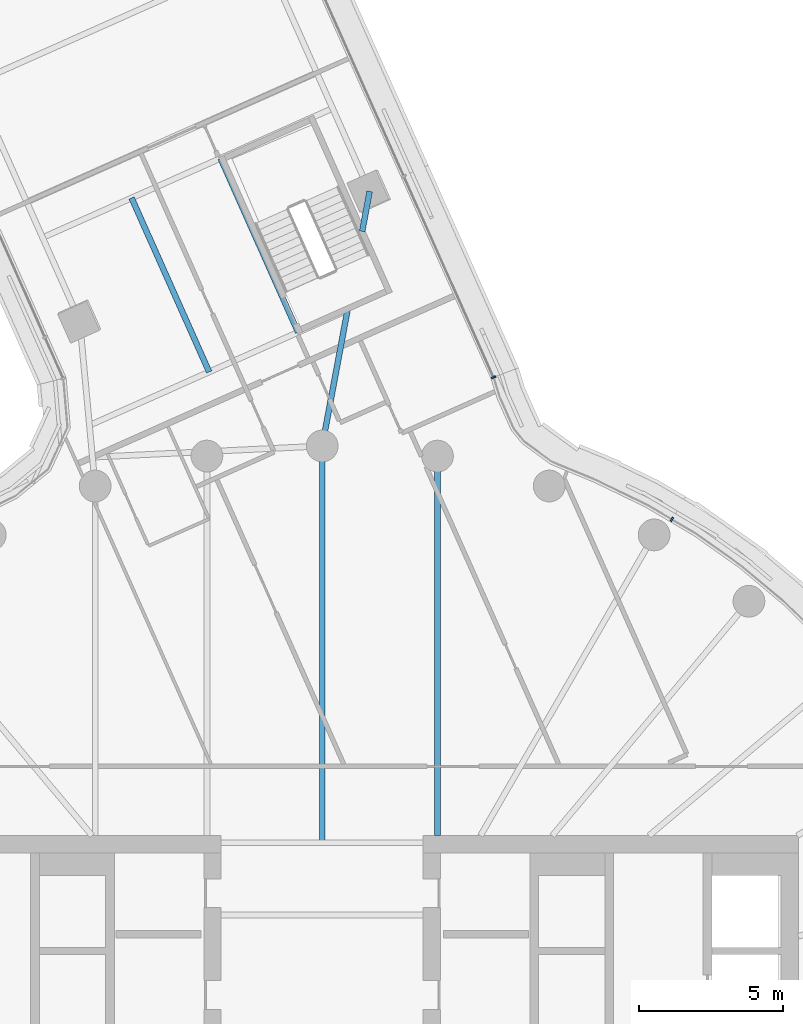
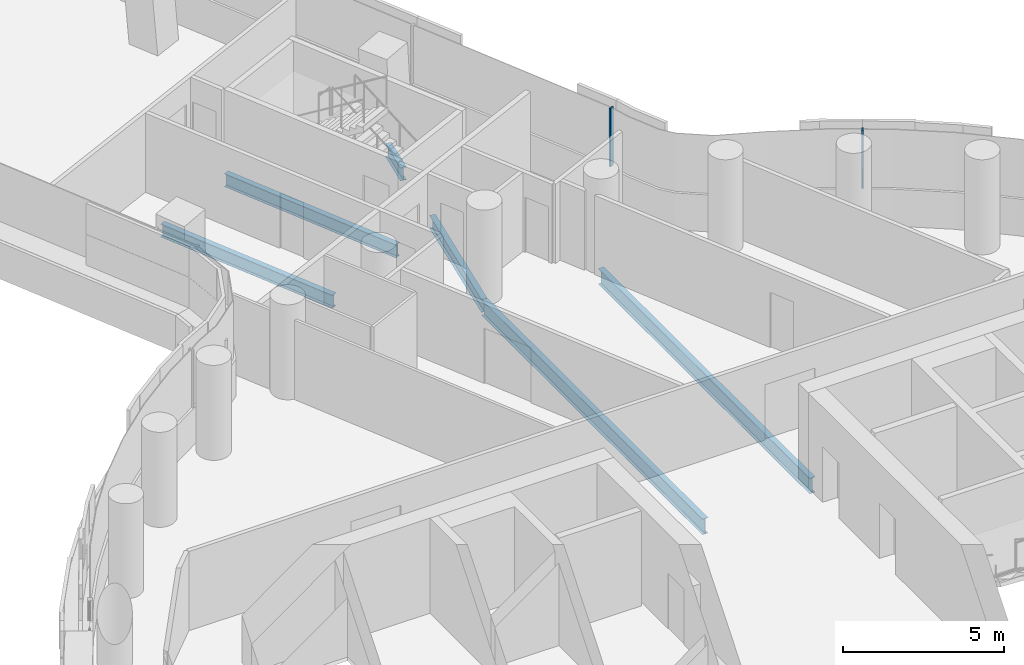
# One storey, part 14 of 35: 6 beams, 2 members, 2 elements without a shape of their own.
"""IFC4 building model written with IfcOpenShell, lengths in metres."""

from ifc_helpers import new_model, si_unit, direction, frame, origin, origin_2d, place, context, subcontext, project, spatial, rectangle, i_section, extrude, material, layer, layer_set, material_profile, profile_set, type_object, element, aggregate, save


model = new_model("IFC4")

# Units and contexts
model_context = context("Model", 3, precision=1e-05, world=origin(), true_north=direction((0.0, 1.0)))
body_context = subcontext(model_context, "Body", "Model", "MODEL_VIEW")
ifc_project = project(units=[si_unit("LENGTHUNIT", "METRE"), si_unit("AREAUNIT", "SQUARE_METRE"), si_unit("VOLUMEUNIT", "CUBIC_METRE"), si_unit("PLANEANGLEUNIT", "RADIAN"), si_unit("MASSUNIT", "GRAM", prefix="KILO")], contexts=[model_context])

# Site, building, storey
site_placement = place(None, origin())
site = spatial("IfcSite", under=ifc_project, at=site_placement, CompositionType="ELEMENT")
building_placement = place(site_placement, origin())
building = spatial("IfcBuilding", under=site, at=building_placement, Name="Tamarind Cross Interchange Tower", CompositionType="ELEMENT")
storey_placement = place(building_placement, frame((0.0, 0.0, 121.0)))
storey = spatial("IfcBuildingStorey", under=building, at=storey_placement, Name="L29", CompositionType="ELEMENT", Elevation=121.0)

# Beams
ifc_material_1 = material(Name="Steel Q355B", Category="steel")
ifc_material_profile_1 = material_profile(ifc_material_1, i_section(OverallWidth=0.198974609375, OverallDepth=0.49609375, WebThickness=0.009033203125, FlangeThickness=0.013916015625, FilletRadius=0.012939453125, at=origin_2d()), Name="HN 496x199x9x14")
ifc_profile_set_1 = profile_set([ifc_material_profile_1], Name="Steel Q355B")
beam_type_1 = type_object("IfcBeamType", Name="Composite beam HN 496x199x9x14 Q355B", PredefinedType="BEAM", material=ifc_profile_set_1)
beam_1_placement = place(storey_placement, frame((1.643310546875, 31.8203125, -0.387939453125), z_axis=(-0.183106500193, -0.98309308287, 0.0), x_axis=(0.98309308287, -0.183106500193, 0.0)))
element("IfcBeam", 1, at=beam_1_placement, inside=storey, type_object=beam_type_1, Name="Beam N-linkemt0", PredefinedType="BEAM", context=body_context, shape_type="SweptSolid", body=[
    extrude(i_section(OverallWidth=0.198974609375, OverallDepth=0.49609375, WebThickness=0.009033203125, FlangeThickness=0.013916015625, FilletRadius=0.012939453125, at=origin_2d()), origin(), (0.0, 0.0, 1.0), 1.409423828125),
])
beam_2_placement = place(storey_placement, frame((0.886962890625, 27.760498046875, -0.387939453125), z_axis=(-0.18316516077, -0.983082155204, 0.0), x_axis=(0.983082155204, -0.18316516077, 0.0)))
element("IfcBeam", 2, at=beam_2_placement, inside=storey, type_object=beam_type_1, Name="Beam N-linkemt1", PredefinedType="BEAM", context=body_context, shape_type="SweptSolid", body=[
    extrude(i_section(OverallWidth=0.198974609375, OverallDepth=0.49609375, WebThickness=0.009033203125, FlangeThickness=0.013916015625, FilletRadius=0.012939453125, at=origin_2d()), origin(), (0.0, 0.0, 1.0), 4.842529296875),
])
beam_3_placement = place(storey_placement, frame((-0.833251953125, 26.938720703125, -0.387939453125), z_axis=(-0.407239908717, 0.9133212232, 0.0), x_axis=(-0.9133212232, -0.407239908717, 0.0)))
element("IfcBeam", 3, at=beam_3_placement, inside=storey, type_object=beam_type_1, Name="Beam N-tr1", PredefinedType="BEAM", context=body_context, shape_type="SweptSolid", body=[
    extrude(i_section(OverallWidth=0.198974609375, OverallDepth=0.49609375, WebThickness=0.009033203125, FlangeThickness=0.013916015625, FilletRadius=0.012939453125, at=origin_2d()), origin(), (0.0, 0.0, 1.0), 6.599853515625),
])
beam_4_placement = place(storey_placement, frame((-3.915771484375, 25.564208984375, -0.387939453125), z_axis=(-0.407226150469, 0.913327357728, 0.0), x_axis=(-0.913327357728, -0.407226150469, 0.0)))
element("IfcBeam", 4, at=beam_4_placement, inside=storey, type_object=beam_type_1, Name="Beam N-stripp", PredefinedType="BEAM", context=body_context, shape_type="SweptSolid", body=[
    extrude(i_section(OverallWidth=0.198974609375, OverallDepth=0.49609375, WebThickness=0.009033203125, FlangeThickness=0.013916015625, FilletRadius=0.012939453125, at=origin_2d()), origin(), (0.0, 0.0, 1.0), 6.60009765625),
])
ifc_material_profile_2 = material_profile(ifc_material_1, i_section(OverallWidth=0.198974609375, OverallDepth=0.595947265625, WebThickness=0.010009765625, FlangeThickness=0.014892578125, FilletRadius=0.012939453125, at=origin_2d()), Name="HN 596x199x10x15")
ifc_profile_set_2 = profile_set([ifc_material_profile_2], Name="Steel Q355B")
beam_type_2 = type_object("IfcBeamType", Name="Composite beam HN 596x199x10x15 Q355B", PredefinedType="BEAM", material=ifc_profile_set_2)
beam_5_placement = place(storey_placement, frame((3.993896484375, 22.650634765625, -0.43798828125), z_axis=(0.0, -1.0, 0.0), x_axis=(1.0, 0.0, 0.0)))
element("IfcBeam", 5, at=beam_5_placement, inside=storey, type_object=beam_type_2, Name="Beam HH08", PredefinedType="BEAM", context=body_context, shape_type="SweptSolid", body=[
    extrude(i_section(OverallWidth=0.198974609375, OverallDepth=0.595947265625, WebThickness=0.010009765625, FlangeThickness=0.014892578125, FilletRadius=0.012939453125, at=origin_2d()), origin(), (0.0, 0.0, 1.0), 13.150634765625),
])
beam_6_placement = place(storey_placement, frame((0.0, 23.0, -0.43798828125), z_axis=(0.0, -1.0, 0.0), x_axis=(1.0, 0.0, 0.0)))
element("IfcBeam", 6, at=beam_6_placement, inside=storey, type_object=beam_type_2, Name="Beam HH09", PredefinedType="BEAM", context=body_context, shape_type="SweptSolid", body=[
    extrude(i_section(OverallWidth=0.198974609375, OverallDepth=0.595947265625, WebThickness=0.010009765625, FlangeThickness=0.014892578125, FilletRadius=0.012939453125, at=origin_2d()), origin(), (0.0, 0.0, 1.0), 13.75),
])

# Curtain wall, member
ifc_material_2 = material(Name="Aluminium 6063-T6", Category="aluminium")
ifc_layer = layer(ifc_material_2, 0.159912109375)
ifc_layer_set = layer_set([ifc_layer], Name="Aluminium 6063-T6")
curtain_wall_type = type_object("IfcCurtainWallType", Name="Office curtain wall, 9.0 m bays", PredefinedType="NOTDEFINED", material=ifc_layer_set)
curtain_wall_1_placement = place(storey_placement, origin())
curtain_wall_1 = element("IfcCurtainWall", 7, at=curtain_wall_1_placement, inside=storey, type_object=curtain_wall_type, Name="CWS-L29-10", PredefinedType="NOTDEFINED")
ifc_material_profile_3 = material_profile(ifc_material_2, rectangle(XDim=0.06005859375, YDim=0.159912109375, at=origin_2d()), Name="Mullion CW1")
ifc_profile_set_3 = profile_set([ifc_material_profile_3], Name="Aluminium 6063-T6")
member_type = type_object("IfcMemberType", Name="Mullion CW1", PredefinedType="MULLION", material=ifc_profile_set_3)
member_1_placement = place(storey_placement, frame((12.116943359375, 20.456298828125, 1.39990234375), z_axis=(0.0, 0.0, 1.0), x_axis=(-0.861248933065, 0.508183308752, 0.0)))
member_1 = element("IfcMember", 8, at=member_1_placement, type_object=member_type, Name="CWM-L29-10-02", PredefinedType="MULLION", context=body_context, shape_type="SweptSolid", body=[
    extrude(rectangle(XDim=0.06005859375, YDim=0.159912109375, at=origin_2d()), origin(), (0.0, 0.0, 1.0), 2.210205078125),
])
aggregate(curtain_wall_1, [member_1])

curtain_wall_2_placement = place(storey_placement, origin())
curtain_wall_2 = element("IfcCurtainWall", 9, at=curtain_wall_2_placement, inside=storey, type_object=curtain_wall_type, Name="CWS-L29-11", PredefinedType="NOTDEFINED")
member_2_placement = place(storey_placement, frame((5.937744140625, 25.38134765625, 1.39990234375), z_axis=(0.0, 0.0, 1.0), x_axis=(-0.35153390681, 0.936175150473, 0.0)))
member_2 = element("IfcMember", 10, at=member_2_placement, type_object=member_type, Name="CWM-L29-11-00", PredefinedType="MULLION", context=body_context, shape_type="SweptSolid", body=[
    extrude(rectangle(XDim=0.06005859375, YDim=0.159912109375, at=origin_2d()), origin(), (0.0, 0.0, 1.0), 2.210205078125),
])
aggregate(curtain_wall_2, [member_2])

save(model, "model.ifc")
